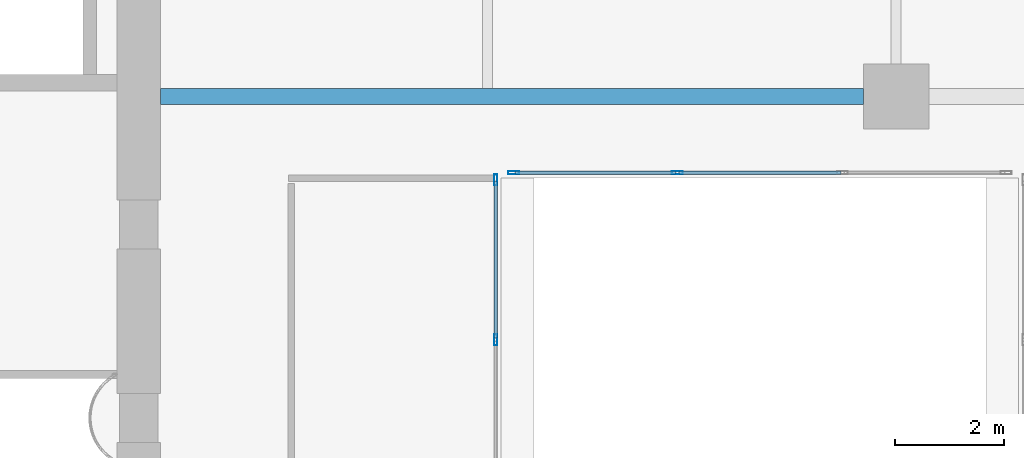
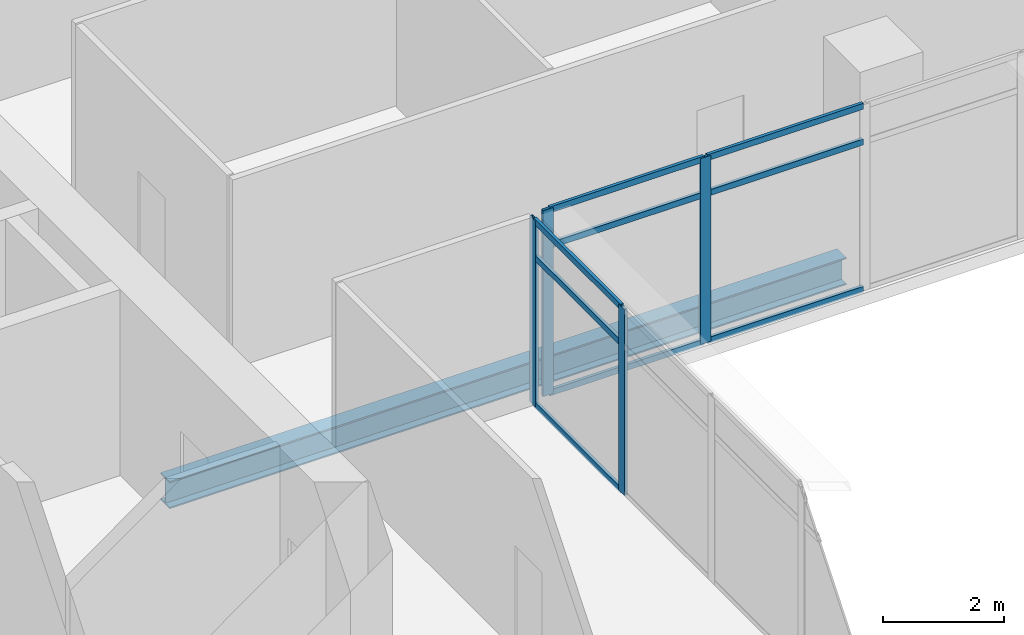
# One storey, part 7 of 40: 13 members, 1 beam, 2 elements without a shape of their own.
"""IFC4 building model written with IfcOpenShell, lengths in metres."""

import ifcopenshell
import ifcopenshell.guid

model = None  # the IFC model being written
_history = None  # IfcOwnerHistory: only IFC2X3 demands one
_inside = {}  # id of a spatial element -> (the spatial element, [elements in it])
_under = {}  # id of a project, library or spatial element -> (it, [spatial elements below it])
_declared = {}  # id of a project -> (the project, [libraries it declares])
_typed = {}  # id of a type object -> (the type object, [elements of that type])
_made_of = {}  # id of a material, layer set ... -> (it, [elements and type objects made of it])


def new_model(schema):
    """Start an empty IFC model of exactly this schema.

    Asked for "IFC4X3", IfcOpenShell would pick the latest addendum, in which some entities
    have other attributes; the version numbers below select the first issue.
    IFC2X3 requires an IfcOwnerHistory on every rooted entity: one is made here for all.
    """
    global model, _history
    if schema == "IFC4X3":
        model = ifcopenshell.file(schema_version=(4, 3, 0, 0))
    else:
        model = ifcopenshell.file(schema=schema)
    _inside.clear()
    _under.clear()
    _declared.clear()
    _typed.clear()
    _made_of.clear()
    _history = None
    if model.schema == "IFC2X3":
        org = make("IfcOrganization", Name="unknown")
        user = make(
            "IfcPersonAndOrganization",
            ThePerson=make("IfcPerson", FamilyName="unknown"),
            TheOrganization=org,
        )
        app = make(
            "IfcApplication",
            ApplicationDeveloper=org,
            Version="unknown",
            ApplicationFullName="unknown",
            ApplicationIdentifier="unknown",
        )
        _history = make(
            "IfcOwnerHistory",
            OwningUser=user,
            OwningApplication=app,
            ChangeAction="ADDED",
            CreationDate=0,
        )
    return model


def make(cls, **values):
    """One entity of the class cls with the attributes given. An attribute that is None is left unset."""
    return model.create_entity(
        cls, **{name: value for name, value in values.items() if value is not None}
    )


def rooted(cls, **values):
    """An entity with a GlobalId (a new one), such as an element, a storey or a relation."""
    return make(cls, GlobalId=ifcopenshell.guid.new(), OwnerHistory=_history, **values)


def si_unit(unit_type, name, prefix=None):
    """IfcSIUnit, for example si_unit("LENGTHUNIT", "METRE", prefix="MILLI")."""
    return make("IfcSIUnit", UnitType=unit_type, Prefix=prefix, Name=name)


def assignment(units):
    """IfcUnitAssignment: the units of a project."""
    return None if units is None else make("IfcUnitAssignment", Units=units)


def point(xyz):
    """IfcCartesianPoint."""
    return None if xyz is None else make("IfcCartesianPoint", Coordinates=xyz)


def direction(xyz):
    """IfcDirection."""
    return None if xyz is None else make("IfcDirection", DirectionRatios=xyz)


def frame(location, z_axis=None, x_axis=None):
    """IfcAxis2Placement3D, a coordinate frame: its origin and axes. An axis left out is left unset."""
    return make(
        "IfcAxis2Placement3D",
        Location=point(location),
        Axis=direction(z_axis),
        RefDirection=direction(x_axis),
    )


def frame_2d(location, x_axis=None):
    """IfcAxis2Placement2D, a coordinate frame in the plane: its origin and x axis."""
    return make(
        "IfcAxis2Placement2D", Location=point(location), RefDirection=direction(x_axis)
    )


def origin():
    """The frame at (0, 0, 0) with its axes left unset."""
    return frame((0.0, 0.0, 0.0))


def origin_2d():
    """The frame at (0, 0) in the plane with its x axis left unset."""
    return frame_2d((0.0, 0.0))


def place(relative_to, where):
    """IfcLocalPlacement: puts the frame where relative to a parent placement (None: the world)."""
    return make(
        "IfcLocalPlacement", PlacementRelTo=relative_to, RelativePlacement=where
    )


def context(
    kind, dimensions, precision=None, world=None, true_north=None, identifier=None
):
    """IfcGeometricRepresentationContext, for example the 3D "Model" context."""
    return make(
        "IfcGeometricRepresentationContext",
        ContextIdentifier=identifier,
        ContextType=kind,
        CoordinateSpaceDimension=dimensions,
        Precision=precision,
        WorldCoordinateSystem=world,
        TrueNorth=true_north,
    )


def subcontext(parent, identifier, kind, view, scale=None):
    """IfcGeometricRepresentationSubContext, for example "Body" below "Model"."""
    return make(
        "IfcGeometricRepresentationSubContext",
        ContextIdentifier=identifier,
        ContextType=kind,
        ParentContext=parent,
        TargetScale=scale,
        TargetView=view,
    )


def project(units=None, contexts=None):
    """IfcProject with its units and contexts."""
    return rooted(
        "IfcProject",
        Name="project",
        RepresentationContexts=contexts,
        UnitsInContext=assignment(units),
    )


def spatial(cls, under=None, at=None, **own):
    """A site, building, storey or space (cls), placed at a placement, below another one or the project."""
    s = rooted(cls, ObjectPlacement=at, **own)
    if under is not None:
        _under.setdefault(under.id(), (under, []))[1].append(s)
    return s


def profile(cls, at=None, kind="AREA", **sizes):
    """A parametric profile (cls). Its sizes go by their IFC names, for example OverallWidth=200.0."""
    return make(cls, ProfileType=kind, Position=at, **sizes)


def hollow_rectangle(**sizes):
    """IfcRectangleHollowProfileDef."""
    return profile("IfcRectangleHollowProfileDef", **sizes)


def i_section(**sizes):
    """IfcIShapeProfileDef."""
    return profile("IfcIShapeProfileDef", **sizes)


def extrude(swept, where, along, depth):
    """IfcExtrudedAreaSolid: the profile swept, set in the frame where, extruded along a direction by depth."""
    return make(
        "IfcExtrudedAreaSolid",
        SweptArea=swept,
        Position=where,
        ExtrudedDirection=direction(along),
        Depth=depth,
    )


def shape(context_of_items, identifier, shape_type, items):
    """IfcShapeRepresentation: the items that make up one representation, for example the "Body"."""
    return make(
        "IfcShapeRepresentation",
        ContextOfItems=context_of_items,
        RepresentationIdentifier=identifier,
        RepresentationType=shape_type,
        Items=items,
    )


def source(mapping_origin, context_of_items, identifier, shape_type, items):
    """IfcRepresentationMap: a shape defined once, which mapped items show again and again."""
    return make(
        "IfcRepresentationMap",
        MappingOrigin=mapping_origin,
        MappedRepresentation=shape(context_of_items, identifier, shape_type, items),
    )


def transform(
    local_origin,
    x_axis=None,
    y_axis=None,
    z_axis=None,
    scale=None,
    scale2=None,
    scale3=None,
    uniform=True,
):
    """IfcCartesianTransformationOperator3D, or its non-uniform kind. x_axis, y_axis, z_axis: its Axis1, 2, 3."""
    if uniform:
        return make(
            "IfcCartesianTransformationOperator3D",
            Axis1=direction(x_axis),
            Axis2=direction(y_axis),
            LocalOrigin=point(local_origin),
            Scale=scale,
            Axis3=direction(z_axis),
        )
    return make(
        "IfcCartesianTransformationOperator3DnonUniform",
        Axis1=direction(x_axis),
        Axis2=direction(y_axis),
        LocalOrigin=point(local_origin),
        Scale=scale,
        Axis3=direction(z_axis),
        Scale2=scale2,
        Scale3=scale3,
    )


def mapped(mapping_source, mapping_target):
    """IfcMappedItem: shows the shape of a source again, moved by a transform."""
    return make(
        "IfcMappedItem", MappingSource=mapping_source, MappingTarget=mapping_target
    )


def material(Name=None, Category=None):
    """IfcMaterial."""
    return make("IfcMaterial", Name=Name, Category=Category)


def material_profile(
    of_material, cross_section, Name=None, Category=None, Priority=None
):
    """IfcMaterialProfile: a cross section and its material."""
    return make(
        "IfcMaterialProfile",
        Name=Name,
        Material=of_material,
        Profile=cross_section,
        Priority=Priority,
        Category=Category,
    )


def profile_set(profiles, Name=None, composite=None):
    """IfcMaterialProfileSet."""
    return make(
        "IfcMaterialProfileSet",
        Name=Name,
        MaterialProfiles=profiles,
        CompositeProfile=composite,
    )


def made_of(thing, what):
    """Note that an element or type object is made of a material, layer set ...; save() writes the relation."""
    if what is not None:
        _made_of.setdefault(what.id(), (what, []))[1].append(thing)
    return thing


def type_object(cls, material=None, **own):
    """A type object (cls), such as IfcWallType, which elements share."""
    return made_of(rooted(cls, **own), material)


def element(
    cls,
    number,
    at=None,
    inside=None,
    cuts=None,
    type_object=None,
    material=None,
    context=None,
    identifier="Body",
    shape_type=None,
    held_by="IfcProductDefinitionShape",
    body=None,
    shapes=None,
    **own,
):
    """One element of the class cls, such as IfcWall. Its Tag is "e" and its number.

    at: its placement. inside: the storey or other place that contains it. cuts: it is an
    opening in that element (IfcRelVoidsElement). A single representation is given by context,
    identifier, shape_type and body (its items); several are given by shapes. held_by: the class
    of the entity that holds the representations. save() writes the other relations.
    """
    e = rooted(cls, Tag="e%d" % number, ObjectPlacement=at, **own)
    if body is not None:
        shapes = [shape(context, identifier, shape_type, body)]
    if shapes is not None:
        e.Representation = make(held_by, Representations=shapes)
    if inside is not None:
        _inside.setdefault(inside.id(), (inside, []))[1].append(e)
    if cuts is not None:
        rooted(
            "IfcRelVoidsElement", RelatingBuildingElement=cuts, RelatedOpeningElement=e
        )
    if type_object is not None:
        _typed.setdefault(type_object.id(), (type_object, []))[1].append(e)
    return made_of(e, material)


def aggregate(whole, parts):
    """IfcRelAggregates: a whole, such as a stair, and the parts it consists of."""
    return rooted("IfcRelAggregates", RelatingObject=whole, RelatedObjects=parts)


def save(model, path):
    """Write the relations noted so far, then the file.

    IfcRelAggregates (storeys below a building ...), IfcRelContainedInSpatialStructure (elements
    in a storey), IfcRelDefinesByType, IfcRelAssociatesMaterial and IfcRelDeclares: one each for
    every whole, place, type object, material and project.
    """
    for whole, parts in _under.values():
        aggregate(whole, parts)
    for where, things in _inside.values():
        rooted(
            "IfcRelContainedInSpatialStructure",
            RelatedElements=things,
            RelatingStructure=where,
        )
    for kind, things in _typed.values():
        rooted("IfcRelDefinesByType", RelatedObjects=things, RelatingType=kind)
    for what, things in _made_of.values():
        rooted("IfcRelAssociatesMaterial", RelatedObjects=things, RelatingMaterial=what)
    for by, libraries in _declared.values():
        rooted("IfcRelDeclares", RelatingContext=by, RelatedDefinitions=libraries)
    model.write(path)


model = new_model("IFC4")

# Units and contexts
model_context = context("Model", 3, precision=1e-05, world=origin(), true_north=direction((0.0, 1.0)))
body_context = subcontext(model_context, "Body", "Model", "MODEL_VIEW")
ifc_project = project(units=[si_unit("LENGTHUNIT", "METRE"), si_unit("AREAUNIT", "SQUARE_METRE"), si_unit("VOLUMEUNIT", "CUBIC_METRE"), si_unit("PLANEANGLEUNIT", "RADIAN"), si_unit("MASSUNIT", "GRAM", prefix="KILO")], contexts=[model_context])

# Site, building, storey
site_placement = place(None, origin())
site = spatial("IfcSite", under=ifc_project, at=site_placement, CompositionType="ELEMENT")
building_placement = place(site_placement, origin())
building = spatial("IfcBuilding", under=site, at=building_placement, Name="Khomas Fold Tower", CompositionType="ELEMENT")
storey_placement = place(building_placement, frame((0.0, 0.0, 176.699951171875)))
storey = spatial("IfcBuildingStorey", under=building, at=storey_placement, Name="L38", CompositionType="ELEMENT", Elevation=176.699951171875)

# Beam
ifc_material_1 = material(Name="Steel S355", Category="steel")
ifc_material_profile_1 = material_profile(ifc_material_1, i_section(OverallWidth=0.300048828125, OverallDepth=0.550048828125, WebThickness=0.014892578125, FlangeThickness=0.029052734375, at=origin_2d()), Name="HE 550 B")
ifc_profile_set_1 = profile_set([ifc_material_profile_1], Name="Steel S355")
beam_type = type_object("IfcBeamType", Name="HE 550 B beam GB4", PredefinedType="BEAM", material=ifc_profile_set_1)
shared_shape_1 = source(origin(), body_context, "Body", "SweptSolid", [
    extrude(i_section(OverallWidth=0.300048828125, OverallDepth=0.550048828125, WebThickness=0.014892578125, FlangeThickness=0.029052734375, at=origin_2d()), origin(), (0.0, 0.0, 1.0), 12.89990234375),
])
beam_placement = place(storey_placement, frame((21.0, 22.5, -0.52490234375), z_axis=(1.0, 0.0, 0.0), x_axis=(0.0, 1.0, 0.0)))
element("IfcBeam", 1, at=beam_placement, inside=storey, type_object=beam_type, Name="GB4", PredefinedType="BEAM", context=body_context, shape_type="MappedRepresentation", body=[
    mapped(shared_shape_1, transform((0.0, 0.0, 0.0))),
])

# Curtain wall, members
ifc_material_2 = material(Name="Aluminium framed double glazing", Category="aluminium")
curtain_wall_type = type_object("IfcCurtainWallType", Name="Notch glazing GN-CW", PredefinedType="NOTDEFINED", material=ifc_material_2)
curtain_wall_1_placement = place(storey_placement, origin())
curtain_wall_1 = element("IfcCurtainWall", 2, at=curtain_wall_1_placement, inside=storey, type_object=curtain_wall_type, Name="Notch glazing run", PredefinedType="NOTDEFINED")
ifc_material_3 = material(Name="Aluminium", Category="aluminium")
ifc_material_profile_2 = material_profile(ifc_material_3, hollow_rectangle(XDim=0.06005859375, YDim=0.1201171875, WallThickness=0.00390625, at=origin_2d()), Name="Notch glazing transom GN-CW-T")
ifc_profile_set_2 = profile_set([ifc_material_profile_2], Name="Aluminium")
member_type_1 = type_object("IfcMemberType", Name="Notch glazing transom GN-CW-T", PredefinedType="USERDEFINED", material=ifc_profile_set_2)
shared_shape_2 = source(origin(), body_context, "Body", "SweptSolid", [
    extrude(hollow_rectangle(XDim=0.06005859375, YDim=0.1201171875, WallThickness=0.00390625, at=origin_2d()), origin(), (0.0, 0.0, 1.0), 2.876708984375),
])
member_1_placement = place(storey_placement, frame((27.14990234375, 18.063232421875, 0.030029296875), z_axis=(0.0, 1.0, 0.0), x_axis=(-1.0, 0.0, 0.0)))
member_1 = element("IfcMember", 3, at=member_1_placement, type_object=member_type_1, Name="GN-CW transom 6.1", ObjectType="TRANSOM", PredefinedType="USERDEFINED", context=body_context, shape_type="MappedRepresentation", body=[
    mapped(shared_shape_2, transform((0.0, 0.0, 0.0))),
])
member_2_placement = place(storey_placement, frame((27.14990234375, 18.063232421875, 3.0), z_axis=(0.0, 1.0, 0.0), x_axis=(-1.0, 0.0, 0.0)))
member_2 = element("IfcMember", 4, at=member_2_placement, type_object=member_type_1, Name="GN-CW transom 6.2", ObjectType="TRANSOM", PredefinedType="USERDEFINED", context=body_context, shape_type="MappedRepresentation", body=[
    mapped(shared_shape_2, transform((0.0, 0.0, 0.0))),
])
member_3_placement = place(storey_placement, frame((27.14990234375, 18.063232421875, 3.719970703125), z_axis=(0.0, 1.0, 0.0), x_axis=(-1.0, 0.0, 0.0)))
member_3 = element("IfcMember", 5, at=member_3_placement, type_object=member_type_1, Name="GN-CW transom 6.3", ObjectType="TRANSOM", PredefinedType="USERDEFINED", context=body_context, shape_type="MappedRepresentation", body=[
    mapped(shared_shape_2, transform((0.0, 0.0, 0.0))),
])
ifc_material_4 = material(Name="Aluminium", Category="aluminium")
ifc_material_profile_3 = material_profile(ifc_material_4, hollow_rectangle(XDim=0.06005859375, YDim=0.199951171875, WallThickness=0.00390625, at=origin_2d()), Name="Notch glazing mullion GN-CW-M")
ifc_profile_set_3 = profile_set([ifc_material_profile_3], Name="Aluminium")
member_type_2 = type_object("IfcMemberType", Name="Notch glazing mullion GN-CW-M", PredefinedType="MULLION", material=ifc_profile_set_3)
shared_shape_3 = source(origin(), body_context, "Body", "SweptSolid", [
    extrude(hollow_rectangle(XDim=0.06005859375, YDim=0.199951171875, WallThickness=0.00390625, at=origin_2d()), origin(), (0.0, 0.0, 1.0), 3.75),
])
member_4_placement = place(storey_placement, frame((27.14990234375, 18.033447265625, 0.0), z_axis=(0.0, 0.0, 1.0), x_axis=(-1.0, 0.0, 0.0)))
member_4 = element("IfcMember", 6, at=member_4_placement, type_object=member_type_2, Name="GN-CW mullion 6", PredefinedType="MULLION", context=body_context, shape_type="MappedRepresentation", body=[
    mapped(shared_shape_3, transform((0.0, 0.0, 0.0))),
])
member_5_placement = place(storey_placement, frame((27.14990234375, 20.969970703125, 0.0), z_axis=(0.0, 0.0, 1.0), x_axis=(-1.0, 0.0, 0.0)))
member_5 = element("IfcMember", 7, at=member_5_placement, type_object=member_type_2, Name="GN-CW mullion 7", PredefinedType="MULLION", context=body_context, shape_type="MappedRepresentation", body=[
    mapped(shared_shape_3, transform((0.0, 0.0, 0.0))),
])
aggregate(curtain_wall_1, [member_4, member_5, member_1, member_2, member_3])

curtain_wall_2_placement = place(storey_placement, origin())
curtain_wall_2 = element("IfcCurtainWall", 8, at=curtain_wall_2_placement, inside=storey, type_object=curtain_wall_type, Name="Notch glazing run", PredefinedType="NOTDEFINED")
member_6_placement = place(storey_placement, frame((27.47998046875, 21.10009765625, 0.0), z_axis=(0.0, 0.0, 1.0), x_axis=(0.0, 1.0, 0.0)))
member_6 = element("IfcMember", 9, at=member_6_placement, type_object=member_type_2, Name="GN-CW mullion 1", PredefinedType="MULLION", context=body_context, shape_type="MappedRepresentation", body=[
    mapped(shared_shape_3, transform((0.0, 0.0, 0.0))),
])
member_7_placement = place(storey_placement, frame((30.4833984375, 21.10009765625, 0.0), z_axis=(0.0, 0.0, 1.0), x_axis=(0.0, 1.0, 0.0)))
member_7 = element("IfcMember", 10, at=member_7_placement, type_object=member_type_2, Name="GN-CW mullion 2", PredefinedType="MULLION", context=body_context, shape_type="MappedRepresentation", body=[
    mapped(shared_shape_3, transform((0.0, 0.0, 0.0))),
])
shared_shape_4 = source(origin(), body_context, "Body", "SweptSolid", [
    extrude(hollow_rectangle(XDim=0.06005859375, YDim=0.1201171875, WallThickness=0.00390625, at=origin_2d()), origin(), (0.0, 0.0, 1.0), 2.943359375),
])
member_8_placement = place(storey_placement, frame((27.510009765625, 21.10009765625, 0.030029296875), z_axis=(1.0, 0.0, 0.0), x_axis=(0.0, 1.0, 0.0)))
member_8 = element("IfcMember", 11, at=member_8_placement, type_object=member_type_1, Name="GN-CW transom 1.1", ObjectType="TRANSOM", PredefinedType="USERDEFINED", context=body_context, shape_type="MappedRepresentation", body=[
    mapped(shared_shape_4, transform((0.0, 0.0, 0.0))),
])
member_9_placement = place(storey_placement, frame((27.510009765625, 21.10009765625, 3.0), z_axis=(1.0, 0.0, 0.0), x_axis=(0.0, 1.0, 0.0)))
member_9 = element("IfcMember", 12, at=member_9_placement, type_object=member_type_1, Name="GN-CW transom 1.2", ObjectType="TRANSOM", PredefinedType="USERDEFINED", context=body_context, shape_type="MappedRepresentation", body=[
    mapped(shared_shape_4, transform((0.0, 0.0, 0.0))),
])
member_10_placement = place(storey_placement, frame((27.510009765625, 21.10009765625, 3.719970703125), z_axis=(1.0, 0.0, 0.0), x_axis=(0.0, 1.0, 0.0)))
member_10 = element("IfcMember", 13, at=member_10_placement, type_object=member_type_1, Name="GN-CW transom 1.3", ObjectType="TRANSOM", PredefinedType="USERDEFINED", context=body_context, shape_type="MappedRepresentation", body=[
    mapped(shared_shape_4, transform((0.0, 0.0, 0.0))),
])
shared_shape_5 = source(origin(), body_context, "Body", "SweptSolid", [
    extrude(hollow_rectangle(XDim=0.06005859375, YDim=0.1201171875, WallThickness=0.00390625, at=origin_2d()), origin(), (0.0, 0.0, 1.0), 2.97314453125),
])
member_11_placement = place(storey_placement, frame((30.513427734375, 21.10009765625, 0.030029296875), z_axis=(1.0, 0.0, 0.0), x_axis=(0.0, 1.0, 0.0)))
member_11 = element("IfcMember", 14, at=member_11_placement, type_object=member_type_1, Name="GN-CW transom 2.1", ObjectType="TRANSOM", PredefinedType="USERDEFINED", context=body_context, shape_type="MappedRepresentation", body=[
    mapped(shared_shape_5, transform((0.0, 0.0, 0.0))),
])
member_12_placement = place(storey_placement, frame((30.513427734375, 21.10009765625, 3.0), z_axis=(1.0, 0.0, 0.0), x_axis=(0.0, 1.0, 0.0)))
member_12 = element("IfcMember", 15, at=member_12_placement, type_object=member_type_1, Name="GN-CW transom 2.2", ObjectType="TRANSOM", PredefinedType="USERDEFINED", context=body_context, shape_type="MappedRepresentation", body=[
    mapped(shared_shape_5, transform((0.0, 0.0, 0.0))),
])
member_13_placement = place(storey_placement, frame((30.513427734375, 21.10009765625, 3.719970703125), z_axis=(1.0, 0.0, 0.0), x_axis=(0.0, 1.0, 0.0)))
member_13 = element("IfcMember", 16, at=member_13_placement, type_object=member_type_1, Name="GN-CW transom 2.3", ObjectType="TRANSOM", PredefinedType="USERDEFINED", context=body_context, shape_type="MappedRepresentation", body=[
    mapped(shared_shape_5, transform((0.0, 0.0, 0.0))),
])
aggregate(curtain_wall_2, [member_6, member_7, member_8, member_9, member_10, member_11, member_12, member_13])

save(model, "model.ifc")
